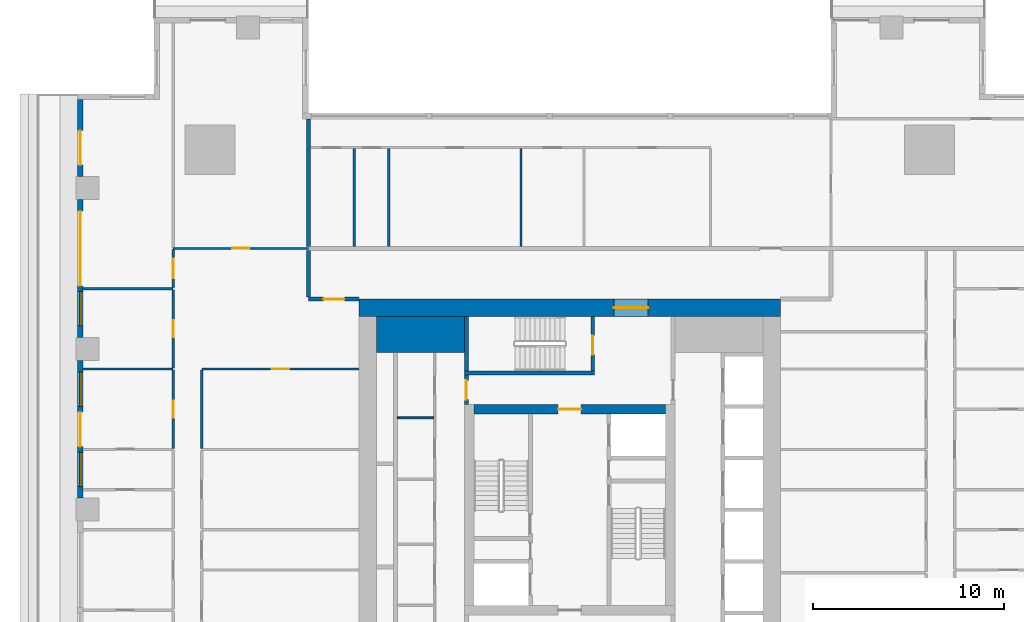
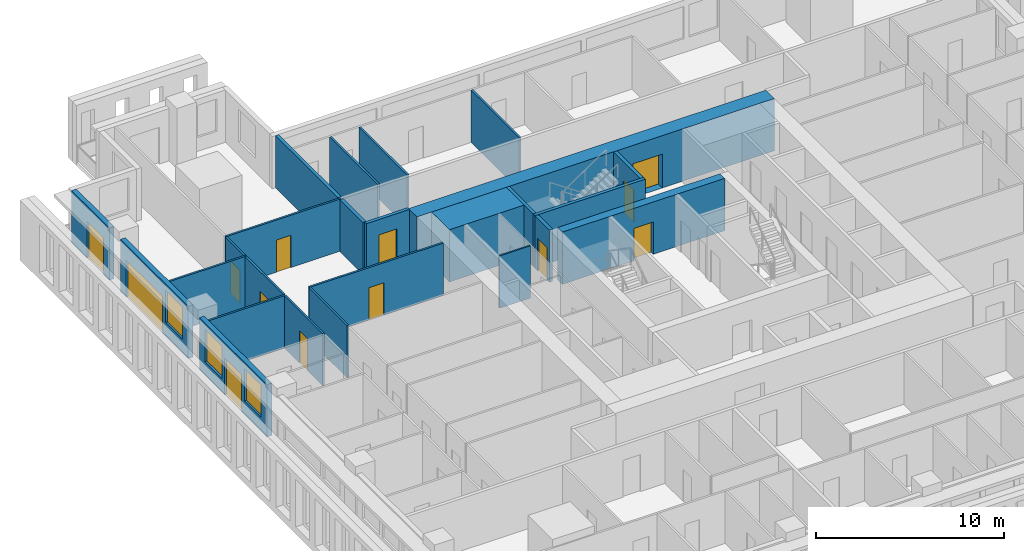
# One storey, part 7 of 16: 25 walls, 13 doors, 3 windows, 16 openings.
"""IFC4 building model written with IfcOpenShell, lengths in metres."""

from ifc_helpers import new_model, si_unit, direction, frame, frame_2d, origin, place, context, subcontext, project, spatial, rectangle, extrude, material, layer, layer_set, type_object, element, fill, save


model = new_model("IFC4")

# Units and contexts
model_context = context("Model", 3, precision=1e-05, world=origin(), true_north=direction((0.0, 1.0)))
body_context = subcontext(model_context, "Body", "Model", "MODEL_VIEW")
ifc_project = project(units=[si_unit("LENGTHUNIT", "METRE"), si_unit("AREAUNIT", "SQUARE_METRE"), si_unit("VOLUMEUNIT", "CUBIC_METRE"), si_unit("PLANEANGLEUNIT", "RADIAN"), si_unit("MASSUNIT", "GRAM", prefix="KILO")], contexts=[model_context])

# Site, building, storey
site_placement = place(None, origin())
site = spatial("IfcSite", under=ifc_project, at=site_placement, CompositionType="ELEMENT")
building_placement = place(site_placement, origin())
building = spatial("IfcBuilding", under=site, at=building_placement, Name="Khepri Terraces", CompositionType="ELEMENT")
storey_placement = place(building_placement, frame((0.0, 0.0, 176.699951171875)))
storey = spatial("IfcBuildingStorey", under=building, at=storey_placement, Name="L42", CompositionType="ELEMENT", Elevation=176.699951171875)

# Walls
ifc_material_1 = material(Name="Concrete C60/75", Category="concrete")
ifc_layer_1 = layer(ifc_material_1, 1.89990234375, Name="Concrete C60/75", Category="concrete")
ifc_layer_set_1 = layer_set([ifc_layer_1], Name="Concrete C60/75")
wall_type_1 = type_object("IfcWallType", Name="Core wall 1900 C60/75", PredefinedType="SHEAR", material=ifc_layer_set_1)
wall_1_placement = place(storey_placement, frame((-10.10009765625, 9.14990234375, 0.0), z_axis=(0.0, 0.0, 1.0), x_axis=(1.0, 0.0, 0.0)))
element("IfcWall", 1, at=wall_1_placement, inside=storey, type_object=wall_type_1, Name="Core wall PR03 L42", PredefinedType="SHEAR", context=body_context, shape_type="SweptSolid", body=[
    extrude(rectangle(XDim=4.60009765625, YDim=1.89990234375, at=frame_2d((2.300048828125, 0.0))), origin(), (0.0, 0.0, 1.0), 3.400146484375),
])
ifc_layer_2 = layer(ifc_material_1, 0.199951171875, Name="Concrete C60/75", Category="concrete")
ifc_layer_set_2 = layer_set([ifc_layer_2], Name="Concrete C60/75")
wall_type_2 = type_object("IfcWallType", Name="Core wall 200 C60/75", PredefinedType="SHEAR", material=ifc_layer_set_2)
wall_2_placement = place(storey_placement, frame((-5.5, 7.14990234375, 0.0), z_axis=(0.0, 0.0, 1.0), x_axis=(1.0, 0.0, 0.0)))
element("IfcWall", 2, at=wall_2_placement, inside=storey, type_object=wall_type_2, Name="Core wall ST05 L42", PredefinedType="SHEAR", context=body_context, shape_type="SweptSolid", body=[
    extrude(rectangle(XDim=6.800048828125, YDim=0.199951171875, at=frame_2d((3.39990234375, 0.0))), origin(), (0.0, 0.0, 1.0), 3.400146484375),
])
wall_3_placement = place(storey_placement, frame((-5.39990234375, 7.25, 0.0), z_axis=(0.0, 0.0, 1.0), x_axis=(0.0, 1.0, 0.0)))
element("IfcWall", 3, at=wall_3_placement, inside=storey, type_object=wall_type_2, Name="Core wall ST06 L42", PredefinedType="SHEAR", context=body_context, shape_type="SweptSolid", body=[
    extrude(rectangle(XDim=2.85009765625, YDim=0.199951171875, at=frame_2d((1.425048828125, 0.0))), origin(), (0.0, 0.0, 1.0), 3.400146484375),
])

# Wall, opening, door
wall_4_placement = place(storey_placement, frame((1.199951171875, 7.25, 0.0), z_axis=(0.0, 0.0, 1.0), x_axis=(0.0, 1.0, 0.0)))
wall_4 = element("IfcWall", 4, at=wall_4_placement, inside=storey, type_object=wall_type_2, Name="Core wall ST07 L42", PredefinedType="SHEAR", context=body_context, shape_type="SweptSolid", body=[
    extrude(rectangle(XDim=2.85009765625, YDim=0.199951171875, at=frame_2d((1.425048828125, 0.0))), origin(), (0.0, 0.0, 1.0), 3.400146484375),
])
opening_1_placement = place(wall_4_placement, frame((0.85009765625, 0.0, 0.0)))
opening_1 = element("IfcOpeningElement", 5, at=opening_1_placement, cuts=wall_4, Name="Opening L42-C15", PredefinedType="OPENING", context=body_context, shape_type="SweptSolid", body=[
    extrude(rectangle(XDim=1.0, YDim=2.10009765625, at=frame_2d((0.5, 1.050048828125))), frame((0.0, 0.10986328125, 0.0), z_axis=(0.0, -1.0, 0.0), x_axis=(1.0, 0.0, 0.0)), (0.0, 0.0, 1.0), 0.219970703125),
])
ifc_material_2 = material(Name="Painted steel", Category="steel")
door_type_1 = type_object("IfcDoorType", Name="DR-CORE-STAIR-1000", OperationType="NOTDEFINED", PredefinedType="DOOR", material=ifc_material_2)
door_1_placement = place(opening_1_placement, origin())
door_1 = element("IfcDoor", 6, at=door_1_placement, inside=storey, type_object=door_type_1, Name="Stair door L42-C15", OperationType="SINGLE_SWING_LEFT", OverallHeight=2.10009765625, OverallWidth=1.0, PredefinedType="DOOR", context=body_context, shape_type="SweptSolid", body=[
    extrude(rectangle(XDim=1.0, YDim=2.10009765625, at=frame_2d((0.5, 1.050048828125))), frame((0.0, 0.02490234375, 0.0), z_axis=(0.0, -1.0, 0.0), x_axis=(1.0, 0.0, 0.0)), (0.0, 0.0, 1.0), 0.050048828125),
])
fill(opening_1, door_1)

ifc_layer_3 = layer(ifc_material_1, 0.5, Name="Concrete C60/75", Category="concrete")
ifc_layer_set_3 = layer_set([ifc_layer_3], Name="Concrete C60/75")
wall_type_3 = type_object("IfcWallType", Name="Core wall 500 C60/75", PredefinedType="SHEAR", material=ifc_layer_set_3)
wall_5_placement = place(storey_placement, frame((-5.0, 5.25, 0.0), z_axis=(0.0, 0.0, 1.0), x_axis=(1.0, 0.0, 0.0)))
wall_5 = element("IfcWall", 7, at=wall_5_placement, inside=storey, type_object=wall_type_3, Name="Core wall BX04 L42", PredefinedType="SHEAR", context=body_context, shape_type="SweptSolid", body=[
    extrude(rectangle(XDim=10.0, YDim=0.5, at=frame_2d((5.0, 0.0))), origin(), (0.0, 0.0, 1.0), 3.400146484375),
])
opening_2_placement = place(wall_5_placement, frame((4.39990234375, 0.0, 0.0)))
opening_2 = element("IfcOpeningElement", 8, at=opening_2_placement, cuts=wall_5, Name="Opening L42-C13", PredefinedType="OPENING", context=body_context, shape_type="SweptSolid", body=[
    extrude(rectangle(XDim=1.199951171875, YDim=2.10009765625, at=frame_2d((0.60009765625, 1.050048828125))), frame((0.0, 0.260009765625, 0.0), z_axis=(0.0, -1.0, 0.0), x_axis=(1.0, 0.0, 0.0)), (0.0, 0.0, 1.0), 0.52001953125),
])
door_type_2 = type_object("IfcDoorType", Name="DR-CORE-FF-LOBBY-1200", OperationType="NOTDEFINED", PredefinedType="DOOR", material=ifc_material_2)
door_2_placement = place(opening_2_placement, frame((1.199951171875, 0.0, 0.0), z_axis=(0.0, 0.0, 1.0), x_axis=(-1.0, 0.0, 0.0)))
door_2 = element("IfcDoor", 9, at=door_2_placement, inside=storey, type_object=door_type_2, Name="Firefighting lobby door L42-C13", OperationType="SINGLE_SWING_LEFT", OverallHeight=2.10009765625, OverallWidth=1.199951171875, PredefinedType="DOOR", context=body_context, shape_type="SweptSolid", body=[
    extrude(rectangle(XDim=1.199951171875, YDim=2.10009765625, at=frame_2d((0.60009765625, 1.050048828125))), frame((0.0, 0.02490234375, 0.0), z_axis=(0.0, -1.0, 0.0), x_axis=(1.0, 0.0, 0.0)), (0.0, 0.0, 1.0), 0.050048828125),
])
fill(opening_2, door_2)

ifc_layer_4 = layer(ifc_material_1, 0.89990234375, Name="Concrete C60/75", Category="concrete")
ifc_layer_set_4 = layer_set([ifc_layer_4], Name="Concrete C60/75")
wall_type_4 = type_object("IfcWallType", Name="Core wall 900 C60/75", PredefinedType="SHEAR", material=ifc_layer_set_4)
wall_6_placement = place(storey_placement, frame((-11.0, 10.550048828125, 0.0), z_axis=(0.0, 0.0, 1.0), x_axis=(1.0, 0.0, 0.0)))
wall_6 = element("IfcWall", 10, at=wall_6_placement, inside=storey, type_object=wall_type_4, Name="Core wall OW-N L42", PredefinedType="SHEAR", context=body_context, shape_type="SweptSolid", body=[
    extrude(rectangle(XDim=22.0, YDim=0.89990234375, at=frame_2d((11.0, 0.0))), origin(), (0.0, 0.0, 1.0), 3.400146484375),
])
opening_3_placement = place(wall_6_placement, frame((13.300048828125, 0.0, 0.0)))
opening_3 = element("IfcOpeningElement", 11, at=opening_3_placement, cuts=wall_6, Name="Opening L42-C20", PredefinedType="OPENING", context=body_context, shape_type="SweptSolid", body=[
    extrude(rectangle(XDim=1.800048828125, YDim=2.199951171875, at=frame_2d((0.89990234375, 1.10009765625))), frame((0.0, 0.4599609375, 0.0), z_axis=(0.0, -1.0, 0.0), x_axis=(1.0, 0.0, 0.0)), (0.0, 0.0, 1.0), 0.919921875),
])
door_type_3 = type_object("IfcDoorType", Name="DR-CORE-ENTRANCE-1800", OperationType="NOTDEFINED", PredefinedType="DOOR", material=ifc_material_2)
door_3_placement = place(opening_3_placement, origin())
door_3 = element("IfcDoor", 12, at=door_3_placement, inside=storey, type_object=door_type_3, Name="Core entrance door pair L42-C20", OperationType="DOUBLE_DOOR_SINGLE_SWING", OverallHeight=2.199951171875, OverallWidth=1.800048828125, PredefinedType="DOOR", context=body_context, shape_type="SweptSolid", body=[
    extrude(rectangle(XDim=1.800048828125, YDim=2.199951171875, at=frame_2d((0.89990234375, 1.10009765625))), frame((0.0, 0.02490234375, 0.0), z_axis=(0.0, -1.0, 0.0), x_axis=(1.0, 0.0, 0.0)), (0.0, 0.0, 1.0), 0.050048828125),
])
fill(opening_3, door_3)

# Wall
ifc_material_3 = material(Name="Fire-rated gypsum board partition")
ifc_layer_5 = layer(ifc_material_3, 0.10009765625, Name="Fire-rated gypsum board partition")
ifc_layer_set_5 = layer_set([ifc_layer_5], Name="Fire-rated gypsum board partition")
wall_type_5 = type_object("IfcWallType", Name="WL-CORE-PART-100", PredefinedType="PARTITIONING", material=ifc_layer_set_5)
wall_7_placement = place(storey_placement, frame((-9.0, 4.800048828125, 0.0), z_axis=(0.0, 0.0, 1.0), x_axis=(1.0, 0.0, 0.0)))
element("IfcWall", 13, at=wall_7_placement, inside=storey, type_object=wall_type_5, Name="Core partition PT11 L42", PredefinedType="PARTITIONING", context=body_context, shape_type="SweptSolid", body=[
    extrude(rectangle(XDim=1.89990234375, YDim=0.10009765625, at=frame_2d((0.949951171875, 0.0))), origin(), (0.0, 0.0, 1.0), 3.400146484375),
])

# Wall, opening, door
ifc_layer_6 = layer(ifc_material_3, 0.199951171875, Name="Fire-rated gypsum board partition")
ifc_layer_set_6 = layer_set([ifc_layer_6], Name="Fire-rated gypsum board partition")
wall_type_6 = type_object("IfcWallType", Name="WL-CORE-PART-200", PredefinedType="PARTITIONING", material=ifc_layer_set_6)
wall_8_placement = place(storey_placement, frame((-5.39990234375, 5.5, 0.0), z_axis=(0.0, 0.0, 1.0), x_axis=(0.0, 1.0, 0.0)))
wall_8 = element("IfcWall", 14, at=wall_8_placement, inside=storey, type_object=wall_type_6, Name="Core partition PT12 L42", PredefinedType="PARTITIONING", context=body_context, shape_type="SweptSolid", body=[
    extrude(rectangle(XDim=1.550048828125, YDim=0.199951171875, at=frame_2d((0.77490234375, 0.0))), origin(), (0.0, 0.0, 1.0), 3.400146484375),
])
opening_4_placement = place(wall_8_placement, frame((0.25, 0.0, 0.0)))
opening_4 = element("IfcOpeningElement", 15, at=opening_4_placement, cuts=wall_8, Name="Opening L42-C16", PredefinedType="OPENING", context=body_context, shape_type="SweptSolid", body=[
    extrude(rectangle(XDim=1.0, YDim=2.10009765625, at=frame_2d((0.5, 1.050048828125))), frame((0.0, 0.10986328125, 0.0), z_axis=(0.0, -1.0, 0.0), x_axis=(1.0, 0.0, 0.0)), (0.0, 0.0, 1.0), 0.219970703125),
])
door_type_4 = type_object("IfcDoorType", Name="DR-CORE-LOBBY-1000", OperationType="NOTDEFINED", PredefinedType="DOOR", material=ifc_material_2)
door_4_placement = place(opening_4_placement, frame((1.0, 0.0, 0.0), z_axis=(0.0, 0.0, 1.0), x_axis=(-1.0, 0.0, 0.0)))
door_4 = element("IfcDoor", 16, at=door_4_placement, inside=storey, type_object=door_type_4, Name="Lobby door L42-C16", OperationType="SINGLE_SWING_RIGHT", OverallHeight=2.10009765625, OverallWidth=1.0, PredefinedType="DOOR", context=body_context, shape_type="SweptSolid", body=[
    extrude(rectangle(XDim=1.0, YDim=2.10009765625, at=frame_2d((0.5, 1.050048828125))), frame((0.0, 0.02490234375, 0.0), z_axis=(0.0, -1.0, 0.0), x_axis=(1.0, 0.0, 0.0)), (0.0, 0.0, 1.0), 0.050048828125),
])
fill(opening_4, door_4)

ifc_material_4 = material(Name="Fire-rated gypsum plasterboard partition, mineral wool")
ifc_layer_7 = layer(ifc_material_4, 0.199951171875, Name="Fire-rated gypsum plasterboard partition, mineral wool")
ifc_layer_set_7 = layer_set([ifc_layer_7], Name="Fire-rated gypsum plasterboard partition, mineral wool")
wall_type_7 = type_object("IfcWallType", Name="WL-CORR-200", PredefinedType="PARTITIONING", material=ifc_layer_set_7)
wall_9_placement = place(storey_placement, frame((-13.64990234375, 11.0, 0.0), z_axis=(0.0, 0.0, 1.0), x_axis=(1.0, 0.0, 0.0)))
wall_9 = element("IfcWall", 17, at=wall_9_placement, inside=storey, type_object=wall_type_7, Name="Partition P-083 L42", PredefinedType="PARTITIONING", context=body_context, shape_type="SweptSolid", body=[
    extrude(rectangle(XDim=2.64990234375, YDim=0.199951171875, at=frame_2d((1.324951171875, 0.0))), origin(), (0.0, 0.0, 1.0), 3.400146484375),
])
opening_5_placement = place(wall_9_placement, frame((0.77490234375, 0.0, 0.0)))
opening_5 = element("IfcOpeningElement", 18, at=opening_5_placement, cuts=wall_9, Name="Opening D1", PredefinedType="OPENING", context=body_context, shape_type="SweptSolid", body=[
    extrude(rectangle(XDim=1.10009765625, YDim=2.39990234375, at=frame_2d((0.550048828125, 1.199951171875))), frame((0.0, 0.10986328125, 0.0), z_axis=(0.0, -1.0, 0.0), x_axis=(1.0, 0.0, 0.0)), (0.0, 0.0, 1.0), 0.219970703125),
])
ifc_material_5 = material(Name="Solid-core timber door leaf, flat entrance door", Category="wood")
door_type_5 = type_object("IfcDoorType", Name="DR-ENT-1100", OperationType="NOTDEFINED", PredefinedType="DOOR", material=ifc_material_5)
door_5_placement = place(opening_5_placement, frame((1.10009765625, 0.0, 0.0), z_axis=(0.0, 0.0, 1.0), x_axis=(-1.0, 0.0, 0.0)))
door_5 = element("IfcDoor", 19, at=door_5_placement, inside=storey, type_object=door_type_5, Name="Flat D1 entrance door", OperationType="SINGLE_SWING_LEFT", OverallHeight=2.39990234375, OverallWidth=1.10009765625, PredefinedType="DOOR", context=body_context, shape_type="SweptSolid", body=[
    extrude(rectangle(XDim=1.10009765625, YDim=2.39990234375, at=frame_2d((0.550048828125, 1.199951171875))), frame((0.0, 0.02490234375, 0.0), z_axis=(0.0, -1.0, 0.0), x_axis=(1.0, 0.0, 0.0)), (0.0, 0.0, 1.0), 0.050048828125),
])
fill(opening_5, door_5)

# Walls
wall_10_placement = place(storey_placement, frame((-13.64990234375, 11.10009765625, 0.0), z_axis=(0.0, 0.0, 1.0), x_axis=(0.0, 1.0, 0.0)))
element("IfcWall", 20, at=wall_10_placement, inside=storey, type_object=wall_type_7, Name="Partition P-085 L42", PredefinedType="PARTITIONING", context=body_context, shape_type="SweptSolid", body=[
    extrude(rectangle(XDim=2.449951171875, YDim=0.199951171875, at=frame_2d((1.22509765625, 0.0))), origin(), (0.0, 0.0, 1.0), 3.400146484375),
])
wall_11_placement = place(storey_placement, frame((-13.64990234375, 13.75, 0.0), z_axis=(0.0, 0.0, 1.0), x_axis=(0.0, 1.0, 0.0)))
element("IfcWall", 21, at=wall_11_placement, inside=storey, type_object=wall_type_7, Name="Partition P-094 L42", PredefinedType="PARTITIONING", context=body_context, shape_type="SweptSolid", body=[
    extrude(rectangle(XDim=6.669921875, YDim=0.199951171875, at=frame_2d((3.3349609375, 0.0))), origin(), (0.0, 0.0, 1.0), 3.400146484375),
])

# Wall, opening, door
ifc_material_6 = material(Name="Precast concrete C50/60 warm stone", Category="masonry")
ifc_layer_8 = layer(ifc_material_6, 0.300048828125, Name="Precast concrete C50/60 warm stone", Category="masonry")
ifc_layer_set_8 = layer_set([ifc_layer_8], Name="Precast concrete C50/60 warm stone")
wall_type_8 = type_object("IfcWallType", Name="WL-EXT-PRECAST-300", PredefinedType="STANDARD", material=ifc_layer_set_8)
wall_12_placement = place(storey_placement, frame((-25.570068359375, 21.419921875, 0.0), z_axis=(0.0, 0.0, 1.0), x_axis=(0.0, -1.0, 0.0)))
wall_12 = element("IfcWall", 22, at=wall_12_placement, inside=storey, type_object=wall_type_8, Name="External wall L42 W", PredefinedType="STANDARD", context=body_context, shape_type="SweptSolid", body=[
    extrude(rectangle(XDim=4.02001953125, YDim=0.300048828125, at=frame_2d((2.010009765625, 0.0))), origin(), (0.0, 0.0, 1.0), 3.400146484375),
])
opening_6_placement = place(wall_12_placement, frame((1.6201171875, 0.0, 0.0)))
opening_6 = element("IfcOpeningElement", 23, at=opening_6_placement, cuts=wall_12, Name="Opening ED-L42-07", PredefinedType="OPENING", context=body_context, shape_type="SweptSolid", body=[
    extrude(rectangle(XDim=1.800048828125, YDim=2.39990234375, at=frame_2d((0.89990234375, 1.199951171875))), frame((0.0, 0.16015625, 0.0), z_axis=(0.0, -1.0, 0.0), x_axis=(1.0, 0.0, 0.0)), (0.0, 0.0, 1.0), 0.320068359375),
])
ifc_material_7 = material(Name="Anodised aluminium bronze glazed door", Category="aluminium")
door_type_6 = type_object("IfcDoorType", Name="DR-BAL-SLIDE-1800x2400", OperationType="NOTDEFINED", PredefinedType="DOOR", material=ifc_material_7)
door_6_placement = place(opening_6_placement, origin())
door_6 = element("IfcDoor", 24, at=door_6_placement, inside=storey, type_object=door_type_6, Name="Balcony door L42 W", OperationType="SLIDING_TO_RIGHT", OverallHeight=2.39990234375, OverallWidth=1.800048828125, PredefinedType="DOOR", context=body_context, shape_type="SweptSolid", body=[
    extrude(rectangle(XDim=1.800048828125, YDim=2.39990234375, at=frame_2d((0.89990234375, 1.199951171875))), frame((0.0, 0.02490234375, 0.0), z_axis=(0.0, -1.0, 0.0), x_axis=(1.0, 0.0, 0.0)), (0.0, 0.0, 1.0), 0.050048828125),
])
fill(opening_6, door_6)

# Wall, openings, door, window
wall_13_placement = place(storey_placement, frame((-25.570068359375, 16.199951171875, 0.0), z_axis=(0.0, 0.0, 1.0), x_axis=(0.0, -1.0, 0.0)))
wall_13 = element("IfcWall", 25, at=wall_13_placement, inside=storey, type_object=wall_type_8, Name="External wall L42 W", PredefinedType="STANDARD", context=body_context, shape_type="SweptSolid", body=[
    extrude(rectangle(XDim=7.199951171875, YDim=0.300048828125, at=frame_2d((3.60009765625, 0.0))), origin(), (0.0, 0.0, 1.0), 3.400146484375),
])
opening_7_placement = place(wall_13_placement, frame((0.60009765625, 0.0, 0.0)))
opening_7 = element("IfcOpeningElement", 26, at=opening_7_placement, cuts=wall_13, Name="Opening ED-L42-08", PredefinedType="OPENING", context=body_context, shape_type="SweptSolid", body=[
    extrude(rectangle(XDim=3.89990234375, YDim=2.39990234375, at=frame_2d((1.949951171875, 1.199951171875))), frame((0.0, 0.16015625, 0.0), z_axis=(0.0, -1.0, 0.0), x_axis=(1.0, 0.0, 0.0)), (0.0, 0.0, 1.0), 0.320068359375),
])
opening_8_placement = place(wall_13_placement, frame((4.800048828125, 0.0, 0.89990234375)))
opening_8 = element("IfcOpeningElement", 27, at=opening_8_placement, cuts=wall_13, Name="Opening W1", PredefinedType="OPENING", context=body_context, shape_type="SweptSolid", body=[
    extrude(rectangle(XDim=1.800048828125, YDim=2.10009765625, at=frame_2d((0.89990234375, 1.050048828125))), frame((0.0, 0.16015625, 0.0), z_axis=(0.0, -1.0, 0.0), x_axis=(1.0, 0.0, 0.0)), (0.0, 0.0, 1.0), 0.320068359375),
])
door_type_7 = type_object("IfcDoorType", Name="DR-BAL-SLIDE-3900x2400", OperationType="NOTDEFINED", PredefinedType="DOOR", material=ifc_material_7)
door_7_placement = place(opening_7_placement, origin())
door_7 = element("IfcDoor", 28, at=door_7_placement, inside=storey, type_object=door_type_7, Name="Balcony door L42 W", OperationType="SLIDING_TO_LEFT", OverallHeight=2.39990234375, OverallWidth=3.89990234375, PredefinedType="DOOR", context=body_context, shape_type="SweptSolid", body=[
    extrude(rectangle(XDim=3.89990234375, YDim=2.39990234375, at=frame_2d((1.949951171875, 1.199951171875))), frame((0.0, 0.02490234375, 0.0), z_axis=(0.0, -1.0, 0.0), x_axis=(1.0, 0.0, 0.0)), (0.0, 0.0, 1.0), 0.050048828125),
])
fill(opening_7, door_7)
ifc_material_8 = material(Name="Clear glass", Category="glass")
window_type = type_object("IfcWindowType", Name="WIN-RES-1800x2100", PartitioningType="SINGLE_PANEL", PredefinedType="WINDOW", material=ifc_material_8)
window_1_placement = place(opening_8_placement, origin())
window_1 = element("IfcWindow", 29, at=window_1_placement, inside=storey, type_object=window_type, Name="Window L42 W", OverallHeight=2.10009765625, OverallWidth=1.800048828125, PartitioningType="SINGLE_PANEL", PredefinedType="WINDOW", context=body_context, shape_type="SweptSolid", body=[
    extrude(rectangle(XDim=1.800048828125, YDim=2.10009765625, at=frame_2d((0.89990234375, 1.050048828125))), frame((0.0, 0.030029296875, 0.0), z_axis=(0.0, -1.0, 0.0), x_axis=(1.0, 0.0, 0.0)), (0.0, 0.0, 1.0), 0.06005859375),
])
fill(opening_8, window_1)

# Wall, openings, door, windows
wall_14_placement = place(storey_placement, frame((-25.570068359375, 7.800048828125, 0.0), z_axis=(0.0, 0.0, 1.0), x_axis=(0.0, -1.0, 0.0)))
wall_14 = element("IfcWall", 30, at=wall_14_placement, inside=storey, type_object=wall_type_8, Name="External wall L42 W", PredefinedType="STANDARD", context=body_context, shape_type="SweptSolid", body=[
    extrude(rectangle(XDim=7.199951171875, YDim=0.300048828125, at=frame_2d((3.60009765625, 0.0))), origin(), (0.0, 0.0, 1.0), 3.400146484375),
])
opening_9_placement = place(wall_14_placement, frame((0.60009765625, 0.0, 0.89990234375)))
opening_9 = element("IfcOpeningElement", 31, at=opening_9_placement, cuts=wall_14, Name="Opening W1", PredefinedType="OPENING", context=body_context, shape_type="SweptSolid", body=[
    extrude(rectangle(XDim=1.800048828125, YDim=2.10009765625, at=frame_2d((0.89990234375, 1.050048828125))), frame((0.0, 0.16015625, 0.0), z_axis=(0.0, -1.0, 0.0), x_axis=(1.0, 0.0, 0.0)), (0.0, 0.0, 1.0), 0.320068359375),
])
opening_10_placement = place(wall_14_placement, frame((2.699951171875, 0.0, 0.0)))
opening_10 = element("IfcOpeningElement", 32, at=opening_10_placement, cuts=wall_14, Name="Opening ED-L42-09", PredefinedType="OPENING", context=body_context, shape_type="SweptSolid", body=[
    extrude(rectangle(XDim=1.800048828125, YDim=2.39990234375, at=frame_2d((0.89990234375, 1.199951171875))), frame((0.0, 0.16015625, 0.0), z_axis=(0.0, -1.0, 0.0), x_axis=(1.0, 0.0, 0.0)), (0.0, 0.0, 1.0), 0.320068359375),
])
opening_11_placement = place(wall_14_placement, frame((4.800048828125, 0.0, 0.89990234375)))
opening_11 = element("IfcOpeningElement", 33, at=opening_11_placement, cuts=wall_14, Name="Opening W1", PredefinedType="OPENING", context=body_context, shape_type="SweptSolid", body=[
    extrude(rectangle(XDim=1.800048828125, YDim=2.10009765625, at=frame_2d((0.89990234375, 1.050048828125))), frame((0.0, 0.16015625, 0.0), z_axis=(0.0, -1.0, 0.0), x_axis=(1.0, 0.0, 0.0)), (0.0, 0.0, 1.0), 0.320068359375),
])
door_8_placement = place(opening_10_placement, origin())
door_8 = element("IfcDoor", 34, at=door_8_placement, inside=storey, type_object=door_type_6, Name="Balcony door L42 W", OperationType="SLIDING_TO_LEFT", OverallHeight=2.39990234375, OverallWidth=1.800048828125, PredefinedType="DOOR", context=body_context, shape_type="SweptSolid", body=[
    extrude(rectangle(XDim=1.800048828125, YDim=2.39990234375, at=frame_2d((0.89990234375, 1.199951171875))), frame((0.0, 0.02490234375, 0.0), z_axis=(0.0, -1.0, 0.0), x_axis=(1.0, 0.0, 0.0)), (0.0, 0.0, 1.0), 0.050048828125),
])
fill(opening_10, door_8)
window_2_placement = place(opening_9_placement, origin())
window_2 = element("IfcWindow", 35, at=window_2_placement, inside=storey, type_object=window_type, Name="Window L42 W", OverallHeight=2.10009765625, OverallWidth=1.800048828125, PartitioningType="SINGLE_PANEL", PredefinedType="WINDOW", context=body_context, shape_type="SweptSolid", body=[
    extrude(rectangle(XDim=1.800048828125, YDim=2.10009765625, at=frame_2d((0.89990234375, 1.050048828125))), frame((0.0, 0.030029296875, 0.0), z_axis=(0.0, -1.0, 0.0), x_axis=(1.0, 0.0, 0.0)), (0.0, 0.0, 1.0), 0.06005859375),
])
fill(opening_9, window_2)
window_3_placement = place(opening_11_placement, origin())
window_3 = element("IfcWindow", 36, at=window_3_placement, inside=storey, type_object=window_type, Name="Window L42 W", OverallHeight=2.10009765625, OverallWidth=1.800048828125, PartitioningType="SINGLE_PANEL", PredefinedType="WINDOW", context=body_context, shape_type="SweptSolid", body=[
    extrude(rectangle(XDim=1.800048828125, YDim=2.10009765625, at=frame_2d((0.89990234375, 1.050048828125))), frame((0.0, 0.030029296875, 0.0), z_axis=(0.0, -1.0, 0.0), x_axis=(1.0, 0.0, 0.0)), (0.0, 0.0, 1.0), 0.06005859375),
])
fill(opening_11, window_3)

# Wall, opening, door
ifc_material_9 = material(Name="Gypsum plasterboard partition")
ifc_layer_9 = layer(ifc_material_9, 0.1201171875, Name="Gypsum plasterboard partition")
ifc_layer_set_9 = layer_set([ifc_layer_9], Name="Gypsum plasterboard partition")
wall_type_9 = type_object("IfcWallType", Name="WL-PART-120", PredefinedType="PARTITIONING", material=ifc_layer_set_9)
wall_15_placement = place(storey_placement, frame((-20.719970703125, 3.2099609375, 0.0), z_axis=(0.0, 0.0, 1.0), x_axis=(0.0, 1.0, 0.0)))
wall_15 = element("IfcWall", 37, at=wall_15_placement, inside=storey, type_object=wall_type_9, Name="Partition P-069 L42", PredefinedType="PARTITIONING", context=body_context, shape_type="SweptSolid", body=[
    extrude(rectangle(XDim=4.080078125, YDim=0.1201171875, at=frame_2d((2.0400390625, 0.0))), origin(), (0.0, 0.0, 1.0), 3.400146484375),
])
opening_12_placement = place(wall_15_placement, frame((1.590087890625, 0.0, 0.0)))
opening_12 = element("IfcOpeningElement", 38, at=opening_12_placement, cuts=wall_15, Name="Opening D3", PredefinedType="OPENING", context=body_context, shape_type="SweptSolid", body=[
    extrude(rectangle(XDim=0.89990234375, YDim=2.10009765625, at=frame_2d((0.449951171875, 1.050048828125))), frame((0.0, 0.070068359375, 0.0), z_axis=(0.0, -1.0, 0.0), x_axis=(1.0, 0.0, 0.0)), (0.0, 0.0, 1.0), 0.14013671875),
])
ifc_material_10 = material(Name="Timber door leaf", Category="wood")
door_type_8 = type_object("IfcDoorType", Name="DR-INT-900", OperationType="NOTDEFINED", PredefinedType="DOOR", material=ifc_material_10)
door_9_placement = place(opening_12_placement, origin())
door_9 = element("IfcDoor", 39, at=door_9_placement, inside=storey, type_object=door_type_8, Name="Door Master Bedroom", OperationType="SINGLE_SWING_RIGHT", OverallHeight=2.10009765625, OverallWidth=0.89990234375, PredefinedType="DOOR", context=body_context, shape_type="SweptSolid", body=[
    extrude(rectangle(XDim=0.89990234375, YDim=2.10009765625, at=frame_2d((0.449951171875, 1.050048828125))), frame((0.0, 0.02490234375, 0.0), z_axis=(0.0, -1.0, 0.0), x_axis=(1.0, 0.0, 0.0)), (0.0, 0.0, 1.0), 0.050048828125),
])
fill(opening_12, door_9)

# Walls
wall_16_placement = place(storey_placement, frame((-19.219970703125, 3.2099609375, 0.0), z_axis=(0.0, 0.0, 1.0), x_axis=(0.0, 1.0, 0.0)))
element("IfcWall", 40, at=wall_16_placement, inside=storey, type_object=wall_type_9, Name="Partition P-070 L42", PredefinedType="PARTITIONING", context=body_context, shape_type="SweptSolid", body=[
    extrude(rectangle(XDim=4.080078125, YDim=0.1201171875, at=frame_2d((2.0400390625, 0.0))), origin(), (0.0, 0.0, 1.0), 3.400146484375),
])
wall_17_placement = place(storey_placement, frame((-25.419921875, 7.35009765625, 0.0), z_axis=(0.0, 0.0, 1.0), x_axis=(1.0, 0.0, 0.0)))
element("IfcWall", 41, at=wall_17_placement, inside=storey, type_object=wall_type_9, Name="Partition P-074 L42", PredefinedType="PARTITIONING", context=body_context, shape_type="SweptSolid", body=[
    extrude(rectangle(XDim=4.699951171875, YDim=0.1201171875, at=frame_2d((2.35009765625, 0.0))), origin(), (0.0, 0.0, 1.0), 3.400146484375),
])

# Wall, opening, door
wall_18_placement = place(storey_placement, frame((-19.219970703125, 7.35009765625, 0.0), z_axis=(0.0, 0.0, 1.0), x_axis=(1.0, 0.0, 0.0)))
wall_18 = element("IfcWall", 42, at=wall_18_placement, inside=storey, type_object=wall_type_9, Name="Partition P-075 L42", PredefinedType="PARTITIONING", context=body_context, shape_type="SweptSolid", body=[
    extrude(rectangle(XDim=8.219970703125, YDim=0.1201171875, at=frame_2d((4.10986328125, 0.0))), origin(), (0.0, 0.0, 1.0), 3.400146484375),
])
opening_13_placement = place(wall_18_placement, frame((3.659912109375, 0.0, 0.0)))
opening_13 = element("IfcOpeningElement", 43, at=opening_13_placement, cuts=wall_18, Name="Opening D3", PredefinedType="OPENING", context=body_context, shape_type="SweptSolid", body=[
    extrude(rectangle(XDim=0.89990234375, YDim=2.10009765625, at=frame_2d((0.449951171875, 1.050048828125))), frame((0.0, 0.070068359375, 0.0), z_axis=(0.0, -1.0, 0.0), x_axis=(1.0, 0.0, 0.0)), (0.0, 0.0, 1.0), 0.14013671875),
])
door_10_placement = place(opening_13_placement, frame((0.89990234375, 0.0, 0.0), z_axis=(0.0, 0.0, 1.0), x_axis=(-1.0, 0.0, 0.0)))
door_10 = element("IfcDoor", 44, at=door_10_placement, inside=storey, type_object=door_type_8, Name="Door Kitchen", OperationType="SINGLE_SWING_LEFT", OverallHeight=2.10009765625, OverallWidth=0.89990234375, PredefinedType="DOOR", context=body_context, shape_type="SweptSolid", body=[
    extrude(rectangle(XDim=0.89990234375, YDim=2.10009765625, at=frame_2d((0.449951171875, 1.050048828125))), frame((0.0, 0.02490234375, 0.0), z_axis=(0.0, -1.0, 0.0), x_axis=(1.0, 0.0, 0.0)), (0.0, 0.0, 1.0), 0.050048828125),
])
fill(opening_13, door_10)

wall_19_placement = place(storey_placement, frame((-20.719970703125, 7.409912109375, 0.0), z_axis=(0.0, 0.0, 1.0), x_axis=(0.0, 1.0, 0.0)))
wall_19 = element("IfcWall", 45, at=wall_19_placement, inside=storey, type_object=wall_type_9, Name="Partition P-078 L42", PredefinedType="PARTITIONING", context=body_context, shape_type="SweptSolid", body=[
    extrude(rectangle(XDim=4.080078125, YDim=0.1201171875, at=frame_2d((2.0400390625, 0.0))), origin(), (0.0, 0.0, 1.0), 3.400146484375),
])
opening_14_placement = place(wall_19_placement, frame((1.590087890625, 0.0, 0.0)))
opening_14 = element("IfcOpeningElement", 46, at=opening_14_placement, cuts=wall_19, Name="Opening D3", PredefinedType="OPENING", context=body_context, shape_type="SweptSolid", body=[
    extrude(rectangle(XDim=0.89990234375, YDim=2.10009765625, at=frame_2d((0.449951171875, 1.050048828125))), frame((0.0, 0.070068359375, 0.0), z_axis=(0.0, -1.0, 0.0), x_axis=(1.0, 0.0, 0.0)), (0.0, 0.0, 1.0), 0.14013671875),
])
door_11_placement = place(opening_14_placement, origin())
door_11 = element("IfcDoor", 47, at=door_11_placement, inside=storey, type_object=door_type_8, Name="Door Study", OperationType="SINGLE_SWING_LEFT", OverallHeight=2.10009765625, OverallWidth=0.89990234375, PredefinedType="DOOR", context=body_context, shape_type="SweptSolid", body=[
    extrude(rectangle(XDim=0.89990234375, YDim=2.10009765625, at=frame_2d((0.449951171875, 1.050048828125))), frame((0.0, 0.02490234375, 0.0), z_axis=(0.0, -1.0, 0.0), x_axis=(1.0, 0.0, 0.0)), (0.0, 0.0, 1.0), 0.050048828125),
])
fill(opening_14, door_11)

# Wall
wall_20_placement = place(storey_placement, frame((-25.419921875, 11.550048828125, 0.0), z_axis=(0.0, 0.0, 1.0), x_axis=(1.0, 0.0, 0.0)))
element("IfcWall", 48, at=wall_20_placement, inside=storey, type_object=wall_type_9, Name="Partition P-087 L42", PredefinedType="PARTITIONING", context=body_context, shape_type="SweptSolid", body=[
    extrude(rectangle(XDim=4.699951171875, YDim=0.1201171875, at=frame_2d((2.35009765625, 0.0))), origin(), (0.0, 0.0, 1.0), 3.400146484375),
])

# Wall, opening, door
wall_21_placement = place(storey_placement, frame((-20.719970703125, 11.610107421875, 0.0), z_axis=(0.0, 0.0, 1.0), x_axis=(0.0, 1.0, 0.0)))
wall_21 = element("IfcWall", 49, at=wall_21_placement, inside=storey, type_object=wall_type_9, Name="Partition P-089 L42", PredefinedType="PARTITIONING", context=body_context, shape_type="SweptSolid", body=[
    extrude(rectangle(XDim=1.97998046875, YDim=0.1201171875, at=frame_2d((0.989990234375, 0.0))), origin(), (0.0, 0.0, 1.0), 3.400146484375),
])
opening_15_placement = place(wall_21_placement, frame((0.489990234375, 0.0, 0.0)))
opening_15 = element("IfcOpeningElement", 50, at=opening_15_placement, cuts=wall_21, Name="Opening D2", PredefinedType="OPENING", context=body_context, shape_type="SweptSolid", body=[
    extrude(rectangle(XDim=1.0, YDim=2.10009765625, at=frame_2d((0.5, 1.050048828125))), frame((0.0, 0.070068359375, 0.0), z_axis=(0.0, -1.0, 0.0), x_axis=(1.0, 0.0, 0.0)), (0.0, 0.0, 1.0), 0.14013671875),
])
ifc_material_11 = material(Name="Timber door leaf, living room door", Category="wood")
door_type_9 = type_object("IfcDoorType", Name="DR-INT-1000", OperationType="NOTDEFINED", PredefinedType="DOOR", material=ifc_material_11)
door_12_placement = place(opening_15_placement, origin())
door_12 = element("IfcDoor", 51, at=door_12_placement, inside=storey, type_object=door_type_9, Name="Door Living Room", OperationType="SINGLE_SWING_RIGHT", OverallHeight=2.10009765625, OverallWidth=1.0, PredefinedType="DOOR", context=body_context, shape_type="SweptSolid", body=[
    extrude(rectangle(XDim=1.0, YDim=2.10009765625, at=frame_2d((0.5, 1.050048828125))), frame((0.0, 0.02490234375, 0.0), z_axis=(0.0, -1.0, 0.0), x_axis=(1.0, 0.0, 0.0)), (0.0, 0.0, 1.0), 0.050048828125),
])
fill(opening_15, door_12)

wall_22_placement = place(storey_placement, frame((-20.719970703125, 13.64990234375, 0.0), z_axis=(0.0, 0.0, 1.0), x_axis=(1.0, 0.0, 0.0)))
wall_22 = element("IfcWall", 52, at=wall_22_placement, inside=storey, type_object=wall_type_9, Name="Partition P-091 L42", PredefinedType="PARTITIONING", context=body_context, shape_type="SweptSolid", body=[
    extrude(rectangle(XDim=7.070068359375, YDim=0.1201171875, at=frame_2d((3.53515625, 0.0))), origin(), (0.0, 0.0, 1.0), 3.400146484375),
])
opening_16_placement = place(wall_22_placement, frame((3.0849609375, 0.0, 0.0)))
opening_16 = element("IfcOpeningElement", 53, at=opening_16_placement, cuts=wall_22, Name="Opening D3", PredefinedType="OPENING", context=body_context, shape_type="SweptSolid", body=[
    extrude(rectangle(XDim=0.89990234375, YDim=2.10009765625, at=frame_2d((0.449951171875, 1.050048828125))), frame((0.0, 0.070068359375, 0.0), z_axis=(0.0, -1.0, 0.0), x_axis=(1.0, 0.0, 0.0)), (0.0, 0.0, 1.0), 0.14013671875),
])
door_13_placement = place(opening_16_placement, origin())
door_13 = element("IfcDoor", 54, at=door_13_placement, inside=storey, type_object=door_type_8, Name="Door Library", OperationType="SINGLE_SWING_RIGHT", OverallHeight=2.10009765625, OverallWidth=0.89990234375, PredefinedType="DOOR", context=body_context, shape_type="SweptSolid", body=[
    extrude(rectangle(XDim=0.89990234375, YDim=2.10009765625, at=frame_2d((0.449951171875, 1.050048828125))), frame((0.0, 0.02490234375, 0.0), z_axis=(0.0, -1.0, 0.0), x_axis=(1.0, 0.0, 0.0)), (0.0, 0.0, 1.0), 0.050048828125),
])
fill(opening_16, door_13)

# Walls
for number, where, z_axis, x_axis, name in (
    (55, (-11.25, 13.75, 0.0), (0.0, 0.0, 1.0), (0.0, 1.0, 0.0), "Partition P-095 L42"),
    (56, (-9.449951171875, 13.75, 0.0), (0.0, 0.0, 1.0), (0.0, 1.0, 0.0), "Partition P-096 L42"),
    (57, (-2.550048828125, 13.75, 0.0), (0.0, 0.0, 1.0), (0.0, 1.0, 0.0), "Partition P-097 L42"),
):
    element("IfcWall", number, at=place(storey_placement, frame(where, z_axis=z_axis, x_axis=x_axis)), inside=storey, type_object=wall_type_9, Name=name, PredefinedType="PARTITIONING", context=body_context, shape_type="SweptSolid", body=[
        extrude(rectangle(XDim=5.110107421875, YDim=0.1201171875, at=frame_2d((2.55517578125, 0.0))), origin(), (0.0, 0.0, 1.0), 3.400146484375),
    ])

save(model, "model.ifc")
